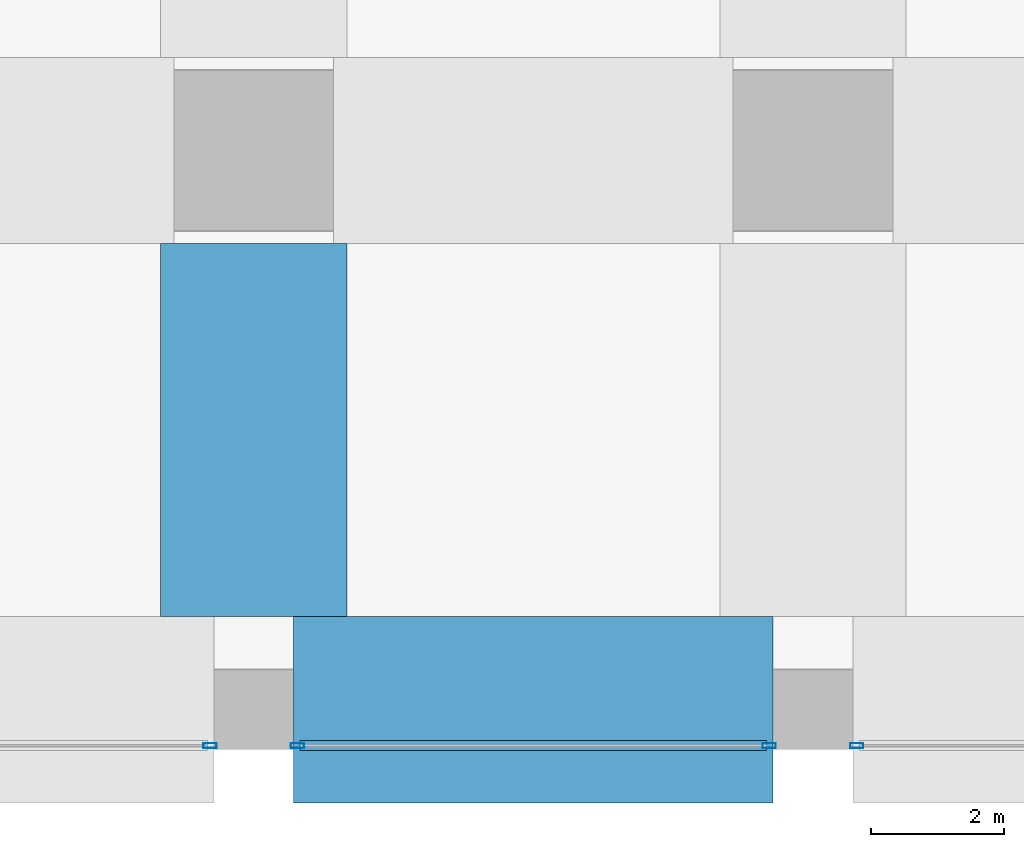
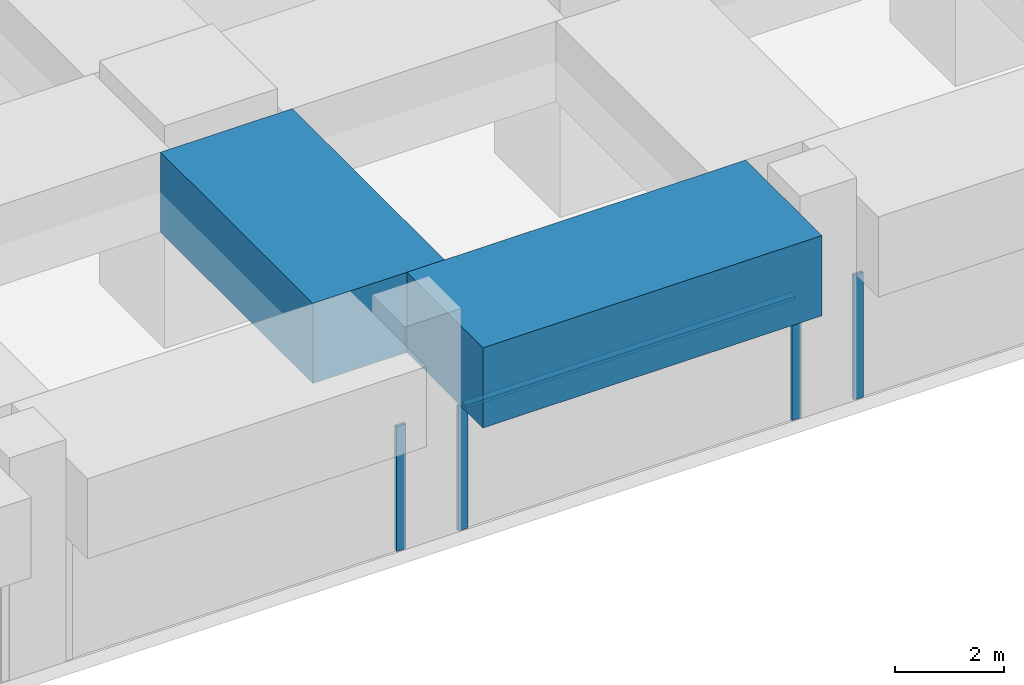
# One storey, part 13 of 52: 5 members, 2 beams, 3 elements without a shape of their own.
"""IFC4 building model written with IfcOpenShell, lengths in metres."""

from ifc_helpers import new_model, si_unit, direction, frame, origin, origin_2d, place, context, subcontext, project, spatial, rectangle, hollow_rectangle, extrude, material, material_profile, profile_set, type_object, element, aggregate, save


model = new_model("IFC4")

# Units and contexts
model_context = context("Model", 3, precision=1e-05, world=origin(), true_north=direction((0.0, 1.0)))
body_context = subcontext(model_context, "Body", "Model", "MODEL_VIEW")
ifc_project = project(units=[si_unit("LENGTHUNIT", "METRE"), si_unit("AREAUNIT", "SQUARE_METRE"), si_unit("VOLUMEUNIT", "CUBIC_METRE"), si_unit("PLANEANGLEUNIT", "RADIAN"), si_unit("MASSUNIT", "GRAM", prefix="KILO")], contexts=[model_context])

# Site, building, storey
site_placement = place(None, origin())
site = spatial("IfcSite", under=ifc_project, at=site_placement, CompositionType="ELEMENT")
building_placement = place(site_placement, origin())
building = spatial("IfcBuilding", under=site, at=building_placement, Name="Rekha Terrace Tower", CompositionType="ELEMENT")
storey_placement = place(building_placement, frame((0.0, 0.0, 20.39990234375)))
storey = spatial("IfcBuildingStorey", under=building, at=storey_placement, Name="L04", CompositionType="ELEMENT", Elevation=20.39990234375)

# Curtain wall, member
ifc_material_1 = material(Name="Aluminium framing", Category="aluminium")
curtain_wall_type = type_object("IfcCurtainWallType", Name="CW4 podium shopfront glazing", PredefinedType="USERDEFINED", material=ifc_material_1)
curtain_wall_1_placement = place(storey_placement, origin())
curtain_wall_1 = element("IfcCurtainWall", 1, at=curtain_wall_1_placement, inside=storey, type_object=curtain_wall_type, Name="CW4 shopfront curtain wall", ObjectType="SHOPFRONT CURTAIN WALL", PredefinedType="USERDEFINED")
ifc_material_2 = material(Name="Aluminium mullion section", Category="aluminium")
ifc_material_profile_1 = material_profile(ifc_material_2, hollow_rectangle(XDim=0.074951171875, YDim=0.199951171875, WallThickness=0.00390625, at=origin_2d()), Name="AL RHS 75x200")
ifc_profile_set_1 = profile_set([ifc_material_profile_1], Name="Aluminium mullion section")
member_type_1 = type_object("IfcMemberType", Name="CW4 mullion RHS 75 x 200", PredefinedType="MULLION", material=ifc_profile_set_1)
member_1_placement = place(storey_placement, frame((32.9423828125, -0.5400390625, 0.0), z_axis=(0.0, 0.0, 1.0), x_axis=(0.0, 1.0, 0.0)))
member_1 = element("IfcMember", 2, at=member_1_placement, type_object=member_type_1, Name="CW4 mullion 2", PredefinedType="MULLION", context=body_context, shape_type="SweptSolid", body=[
    extrude(hollow_rectangle(XDim=0.074951171875, YDim=0.199951171875, WallThickness=0.00390625, at=origin_2d()), origin(), (0.0, 0.0, 1.0), 2.800048828125),
])
aggregate(curtain_wall_1, [member_1])

# Curtain wall, members
curtain_wall_2_placement = place(storey_placement, origin())
curtain_wall_2 = element("IfcCurtainWall", 3, at=curtain_wall_2_placement, inside=storey, type_object=curtain_wall_type, Name="CW4 shopfront curtain wall", ObjectType="SHOPFRONT CURTAIN WALL", PredefinedType="USERDEFINED")
member_2_placement = place(storey_placement, frame((34.257568359375, -0.5400390625, 0.0), z_axis=(0.0, 0.0, 1.0), x_axis=(0.0, 1.0, 0.0)))
member_2 = element("IfcMember", 4, at=member_2_placement, type_object=member_type_1, Name="CW4 mullion 1", PredefinedType="MULLION", context=body_context, shape_type="SweptSolid", body=[
    extrude(hollow_rectangle(XDim=0.074951171875, YDim=0.199951171875, WallThickness=0.00390625, at=origin_2d()), origin(), (0.0, 0.0, 1.0), 2.800048828125),
])
member_3_placement = place(storey_placement, frame((41.342529296875, -0.5400390625, 0.0), z_axis=(0.0, 0.0, 1.0), x_axis=(0.0, 1.0, 0.0)))
member_3 = element("IfcMember", 5, at=member_3_placement, type_object=member_type_1, Name="CW4 mullion 2", PredefinedType="MULLION", context=body_context, shape_type="SweptSolid", body=[
    extrude(hollow_rectangle(XDim=0.074951171875, YDim=0.199951171875, WallThickness=0.00390625, at=origin_2d()), origin(), (0.0, 0.0, 1.0), 2.800048828125),
])

# Curtain wall, member
curtain_wall_3_placement = place(storey_placement, origin())
curtain_wall_3 = element("IfcCurtainWall", 6, at=curtain_wall_3_placement, inside=storey, type_object=curtain_wall_type, Name="CW4 shopfront curtain wall", ObjectType="SHOPFRONT CURTAIN WALL", PredefinedType="USERDEFINED")
member_4_placement = place(storey_placement, frame((42.657470703125, -0.5400390625, 0.0), z_axis=(0.0, 0.0, 1.0), x_axis=(0.0, 1.0, 0.0)))
member_4 = element("IfcMember", 7, at=member_4_placement, type_object=member_type_1, Name="CW4 mullion 1", PredefinedType="MULLION", context=body_context, shape_type="SweptSolid", body=[
    extrude(hollow_rectangle(XDim=0.074951171875, YDim=0.199951171875, WallThickness=0.00390625, at=origin_2d()), origin(), (0.0, 0.0, 1.0), 2.800048828125),
])
aggregate(curtain_wall_3, [member_4])

# Member
ifc_material_3 = material(Name="Aluminium transom section", Category="aluminium")
ifc_material_profile_2 = material_profile(ifc_material_3, hollow_rectangle(XDim=0.14990234375, YDim=0.074951171875, WallThickness=0.0029296875, at=origin_2d()), Name="AL RHS 150x75")
ifc_profile_set_2 = profile_set([ifc_material_profile_2], Name="Aluminium transom section")
member_type_2 = type_object("IfcMemberType", Name="CW4 transom RHS 75 x 150", PredefinedType="USERDEFINED", material=ifc_profile_set_2)
member_5_placement = place(storey_placement, frame((34.294921875, -0.5400390625, 2.7626953125), z_axis=(1.0, 0.0, 0.0), x_axis=(0.0, 1.0, 0.0)))
member_5 = element("IfcMember", 8, at=member_5_placement, type_object=member_type_2, Name="CW4 transom 1.2", ObjectType="TRANSOM", PredefinedType="USERDEFINED", context=body_context, shape_type="SweptSolid", body=[
    extrude(hollow_rectangle(XDim=0.14990234375, YDim=0.074951171875, WallThickness=0.0029296875, at=origin_2d()), origin(), (0.0, 0.0, 1.0), 7.010009765625),
])

aggregate(curtain_wall_2, [member_2, member_3, member_5])

# Beams
ifc_material_4 = material(Name="Concrete M70", Category="concrete")
ifc_material_profile_3 = material_profile(ifc_material_4, rectangle(XDim=2.800048828125, YDim=1.800048828125, at=origin_2d()), Name="RC 2800x1800")
ifc_profile_set_3 = profile_set([ifc_material_profile_3], Name="Concrete M70")
beam_type = type_object("IfcBeamType", Name="G2 2800x1800 podium roof band beam", PredefinedType="BEAM", material=ifc_profile_set_3)
beam_1_placement = place(storey_placement, frame((34.199951171875, 0.0, 3.7001953125), z_axis=(1.0, 0.0, 0.0), x_axis=(0.0, 1.0, 0.0)))
element("IfcBeam", 9, at=beam_1_placement, inside=storey, type_object=beam_type, Name="Beam G2 5A-6A under L05", PredefinedType="BEAM", context=body_context, shape_type="SweptSolid", body=[
    extrude(rectangle(XDim=2.800048828125, YDim=1.800048828125, at=origin_2d()), origin(), (0.0, 0.0, 1.0), 7.199951171875),
])
beam_2_placement = place(storey_placement, frame((33.60009765625, 1.39990234375, 3.7001953125), z_axis=(0.0, 1.0, 0.0), x_axis=(-1.0, 0.0, 0.0)))
element("IfcBeam", 10, at=beam_2_placement, inside=storey, type_object=beam_type, Name="Beam G2 5A-5B under L05", PredefinedType="BEAM", context=body_context, shape_type="SweptSolid", body=[
    extrude(rectangle(XDim=2.800048828125, YDim=1.800048828125, at=origin_2d()), origin(), (0.0, 0.0, 1.0), 5.60009765625),
])

save(model, "model.ifc")
